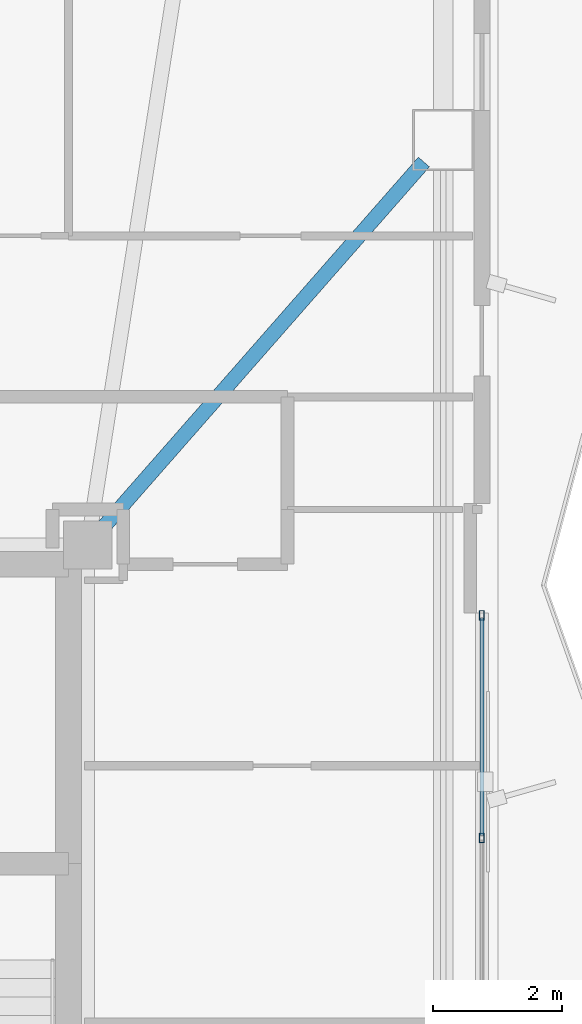
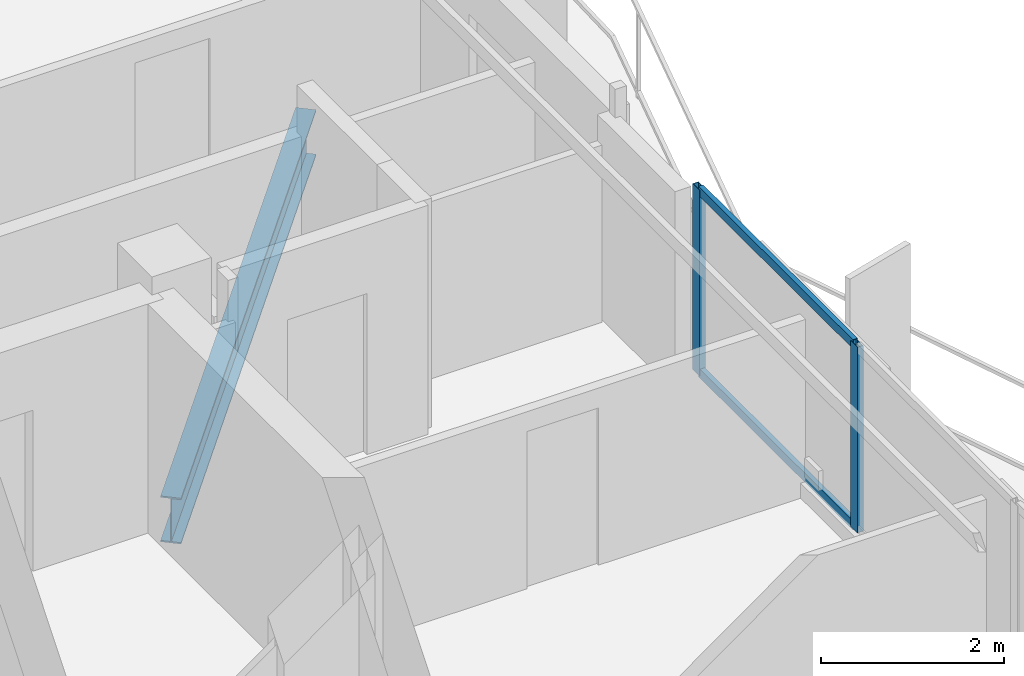
# One storey, part 9 of 18: 4 members, 1 beam, 1 element without a shape of its own.
"""IFC4 building model written with IfcOpenShell, lengths in metres."""

from ifc_helpers import new_model, si_unit, direction, frame, origin, origin_2d, place, context, subcontext, project, spatial, hollow_rectangle, i_section, extrude, material, layer, layer_set, material_profile, profile_set, type_object, element, aggregate, save


model = new_model("IFC4")

# Units and contexts
model_context = context("Model", 3, precision=1e-05, world=origin(), true_north=direction((0.0, 1.0)))
body_context = subcontext(model_context, "Body", "Model", "MODEL_VIEW")
ifc_project = project(units=[si_unit("LENGTHUNIT", "METRE"), si_unit("AREAUNIT", "SQUARE_METRE"), si_unit("VOLUMEUNIT", "CUBIC_METRE"), si_unit("PLANEANGLEUNIT", "RADIAN"), si_unit("MASSUNIT", "GRAM", prefix="KILO")], contexts=[model_context])

# Site, building, storey
site_placement = place(None, origin())
site = spatial("IfcSite", under=ifc_project, at=site_placement, CompositionType="ELEMENT")
building_placement = place(site_placement, origin())
building = spatial("IfcBuilding", under=site, at=building_placement, Name="Mersakhor Tower and Convention Hall", CompositionType="ELEMENT")
storey_placement = place(building_placement, frame((0.0, 0.0, 137.699951171875)))
storey = spatial("IfcBuildingStorey", under=building, at=storey_placement, Name="L38", CompositionType="ELEMENT", Elevation=137.699951171875)

# Beam
ifc_material_1 = material(Name="Steel S355", Category="steel")
ifc_material_profile_1 = material_profile(ifc_material_1, i_section(OverallWidth=0.22900390625, OverallDepth=0.6123046875, WebThickness=0.011962890625, FlangeThickness=0.01953125, at=origin_2d()), Name="UB 610x229x125")
ifc_profile_set_1 = profile_set([ifc_material_profile_1], Name="Steel S355")
beam_type = type_object("IfcBeamType", Name="BM-PR-610", PredefinedType="BEAM", material=ifc_profile_set_1)
beam_placement = place(storey_placement, frame((36.334228515625, 33.31689453125, -0.546142578125), z_axis=(0.65963831109, 0.751583194691, 0.0), x_axis=(-0.751583194691, 0.65963831109, 0.0)))
element("IfcBeam", 1, at=beam_placement, inside=storey, type_object=beam_type, Name="L38 Primary Floor Girder FG-3", PredefinedType="BEAM", context=body_context, shape_type="SweptSolid", body=[
    extrude(i_section(OverallWidth=0.22900390625, OverallDepth=0.6123046875, WebThickness=0.011962890625, FlangeThickness=0.01953125, at=origin_2d()), origin(), (0.0, 0.0, 1.0), 7.556884765625),
])

# Curtain wall, members
ifc_material_2 = material(Name="Dark solar low-E aluminium curtain wall", Category="aluminium")
ifc_layer = layer(ifc_material_2, 0.169921875)
ifc_layer_set = layer_set([ifc_layer], Name="Dark solar low-E aluminium curtain wall")
curtain_wall_type = type_object("IfcCurtainWallType", Name="CW-SYS-02", PredefinedType="USERDEFINED", material=ifc_layer_set)
curtain_wall_placement = place(storey_placement, origin())
curtain_wall = element("IfcCurtainWall", 2, at=curtain_wall_placement, inside=storey, type_object=curtain_wall_type, Name="L38 Dark-Glass Curtain Wall F2-B2", ObjectType="CURTAIN WALL", PredefinedType="USERDEFINED")
ifc_material_3 = material(Name="Anodised aluminium EN AW-6063 T6", Category="aluminium")
ifc_material_profile_2 = material_profile(ifc_material_3, hollow_rectangle(XDim=0.074951171875, YDim=0.14990234375, WallThickness=0.00634765625, at=origin_2d()), Name="RHS 150x75x6.3")
ifc_profile_set_2 = profile_set([ifc_material_profile_2], Name="Anodised aluminium EN AW-6063 T6")
member_type_1 = type_object("IfcMemberType", Name="CWM-150x75", PredefinedType="MULLION", material=ifc_profile_set_2)
member_1_placement = place(storey_placement, frame((42.21923828125, 31.95556640625, 0.199951171875), z_axis=(0.0, 0.0, 1.0), x_axis=(1.0, 0.0, 0.0)))
member_1 = element("IfcMember", 3, at=member_1_placement, type_object=member_type_1, Name="CW-02 mullion 1", PredefinedType="MULLION", context=body_context, shape_type="SweptSolid", body=[
    extrude(hollow_rectangle(XDim=0.074951171875, YDim=0.14990234375, WallThickness=0.00634765625, at=origin_2d()), origin(), (0.0, 0.0, 1.0), 2.47998046875),
])
member_2_placement = place(storey_placement, frame((42.21923828125, 28.49755859375, 0.199951171875), z_axis=(0.0, 0.0, 1.0), x_axis=(1.0, 0.0, 0.0)))
member_2 = element("IfcMember", 4, at=member_2_placement, type_object=member_type_1, Name="CW-02 mullion 2", PredefinedType="MULLION", context=body_context, shape_type="SweptSolid", body=[
    extrude(hollow_rectangle(XDim=0.074951171875, YDim=0.14990234375, WallThickness=0.00634765625, at=origin_2d()), origin(), (0.0, 0.0, 1.0), 2.47998046875),
])
ifc_material_4 = material(Name="Anodised aluminium EN AW-6063 T6", Category="aluminium")
ifc_material_profile_3 = material_profile(ifc_material_4, hollow_rectangle(XDim=0.06005859375, YDim=0.1201171875, WallThickness=0.0048828125, at=origin_2d()), Name="RHS 120x60x5")
ifc_profile_set_3 = profile_set([ifc_material_profile_3], Name="Anodised aluminium EN AW-6063 T6")
member_type_2 = type_object("IfcMemberType", Name="CWT-120x60", PredefinedType="USERDEFINED", material=ifc_profile_set_3)
member_3_placement = place(storey_placement, frame((42.21923828125, 31.91796875, 0.22998046875), z_axis=(0.0, -1.0, 0.0), x_axis=(1.0, 0.0, 0.0)))
member_3 = element("IfcMember", 5, at=member_3_placement, type_object=member_type_2, Name="CW-02 transom 1.1", ObjectType="TRANSOM", PredefinedType="USERDEFINED", context=body_context, shape_type="SweptSolid", body=[
    extrude(hollow_rectangle(XDim=0.06005859375, YDim=0.1201171875, WallThickness=0.0048828125, at=origin_2d()), origin(), (0.0, 0.0, 1.0), 3.3828125),
])
member_4_placement = place(storey_placement, frame((42.21923828125, 31.91796875, 2.650146484375), z_axis=(0.0, -1.0, 0.0), x_axis=(1.0, 0.0, 0.0)))
member_4 = element("IfcMember", 6, at=member_4_placement, type_object=member_type_2, Name="CW-02 transom 1.2", ObjectType="TRANSOM", PredefinedType="USERDEFINED", context=body_context, shape_type="SweptSolid", body=[
    extrude(hollow_rectangle(XDim=0.06005859375, YDim=0.1201171875, WallThickness=0.0048828125, at=origin_2d()), origin(), (0.0, 0.0, 1.0), 3.3828125),
])
aggregate(curtain_wall, [member_1, member_2, member_3, member_4])

save(model, "model.ifc")
